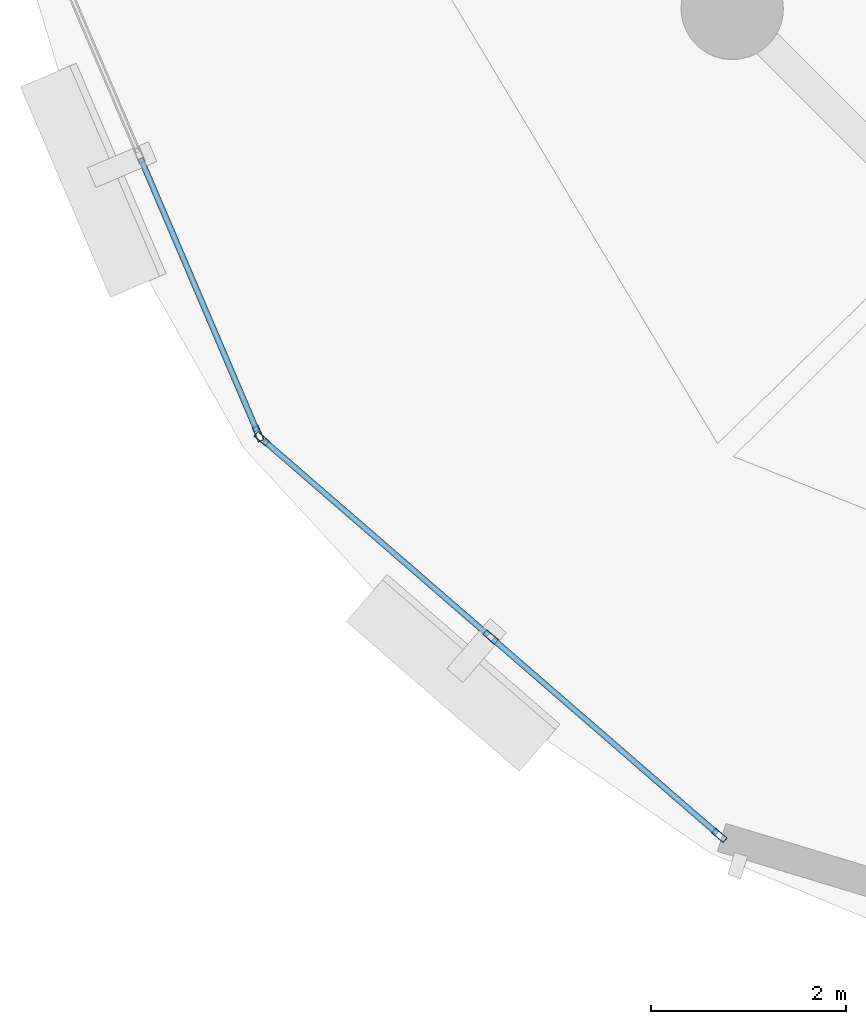
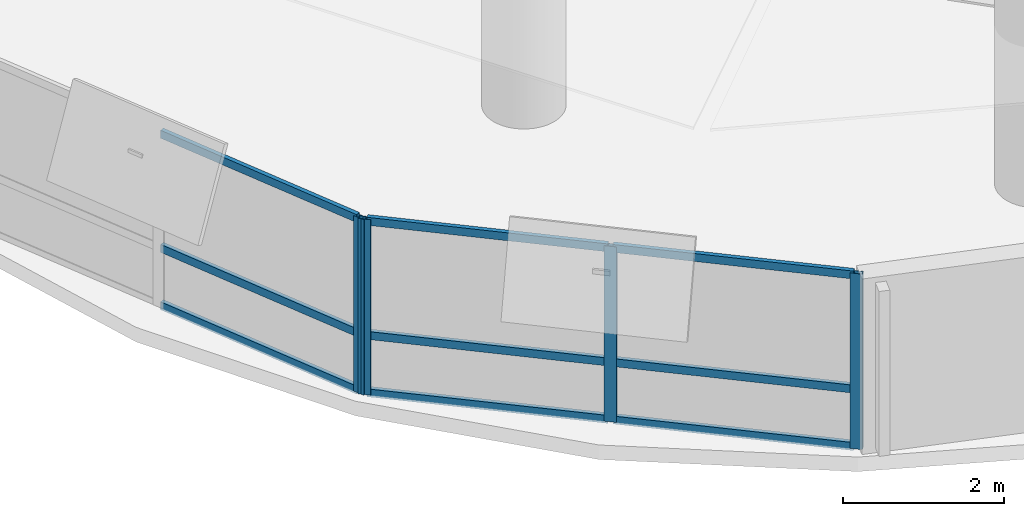
# One storey, part 2 of 12: 13 members, 2 elements without a shape of their own.
"""IFC4 building model written with IfcOpenShell, lengths in metres."""

import ifcopenshell
import ifcopenshell.guid

model = None  # the IFC model being written
_history = None  # IfcOwnerHistory: only IFC2X3 demands one
_inside = {}  # id of a spatial element -> (the spatial element, [elements in it])
_under = {}  # id of a project, library or spatial element -> (it, [spatial elements below it])
_declared = {}  # id of a project -> (the project, [libraries it declares])
_typed = {}  # id of a type object -> (the type object, [elements of that type])
_made_of = {}  # id of a material, layer set ... -> (it, [elements and type objects made of it])


def new_model(schema):
    """Start an empty IFC model of exactly this schema.

    Asked for "IFC4X3", IfcOpenShell would pick the latest addendum, in which some entities
    have other attributes; the version numbers below select the first issue.
    IFC2X3 requires an IfcOwnerHistory on every rooted entity: one is made here for all.
    """
    global model, _history
    if schema == "IFC4X3":
        model = ifcopenshell.file(schema_version=(4, 3, 0, 0))
    else:
        model = ifcopenshell.file(schema=schema)
    _inside.clear()
    _under.clear()
    _declared.clear()
    _typed.clear()
    _made_of.clear()
    _history = None
    if model.schema == "IFC2X3":
        org = make("IfcOrganization", Name="unknown")
        user = make(
            "IfcPersonAndOrganization",
            ThePerson=make("IfcPerson", FamilyName="unknown"),
            TheOrganization=org,
        )
        app = make(
            "IfcApplication",
            ApplicationDeveloper=org,
            Version="unknown",
            ApplicationFullName="unknown",
            ApplicationIdentifier="unknown",
        )
        _history = make(
            "IfcOwnerHistory",
            OwningUser=user,
            OwningApplication=app,
            ChangeAction="ADDED",
            CreationDate=0,
        )
    return model


def make(cls, **values):
    """One entity of the class cls with the attributes given. An attribute that is None is left unset."""
    return model.create_entity(
        cls, **{name: value for name, value in values.items() if value is not None}
    )


def rooted(cls, **values):
    """An entity with a GlobalId (a new one), such as an element, a storey or a relation."""
    return make(cls, GlobalId=ifcopenshell.guid.new(), OwnerHistory=_history, **values)


def si_unit(unit_type, name, prefix=None):
    """IfcSIUnit, for example si_unit("LENGTHUNIT", "METRE", prefix="MILLI")."""
    return make("IfcSIUnit", UnitType=unit_type, Prefix=prefix, Name=name)


def assignment(units):
    """IfcUnitAssignment: the units of a project."""
    return None if units is None else make("IfcUnitAssignment", Units=units)


def point(xyz):
    """IfcCartesianPoint."""
    return None if xyz is None else make("IfcCartesianPoint", Coordinates=xyz)


def direction(xyz):
    """IfcDirection."""
    return None if xyz is None else make("IfcDirection", DirectionRatios=xyz)


def frame(location, z_axis=None, x_axis=None):
    """IfcAxis2Placement3D, a coordinate frame: its origin and axes. An axis left out is left unset."""
    return make(
        "IfcAxis2Placement3D",
        Location=point(location),
        Axis=direction(z_axis),
        RefDirection=direction(x_axis),
    )


def frame_2d(location, x_axis=None):
    """IfcAxis2Placement2D, a coordinate frame in the plane: its origin and x axis."""
    return make(
        "IfcAxis2Placement2D", Location=point(location), RefDirection=direction(x_axis)
    )


def origin():
    """The frame at (0, 0, 0) with its axes left unset."""
    return frame((0.0, 0.0, 0.0))


def origin_2d():
    """The frame at (0, 0) in the plane with its x axis left unset."""
    return frame_2d((0.0, 0.0))


def place(relative_to, where):
    """IfcLocalPlacement: puts the frame where relative to a parent placement (None: the world)."""
    return make(
        "IfcLocalPlacement", PlacementRelTo=relative_to, RelativePlacement=where
    )


def context(
    kind, dimensions, precision=None, world=None, true_north=None, identifier=None
):
    """IfcGeometricRepresentationContext, for example the 3D "Model" context."""
    return make(
        "IfcGeometricRepresentationContext",
        ContextIdentifier=identifier,
        ContextType=kind,
        CoordinateSpaceDimension=dimensions,
        Precision=precision,
        WorldCoordinateSystem=world,
        TrueNorth=true_north,
    )


def subcontext(parent, identifier, kind, view, scale=None):
    """IfcGeometricRepresentationSubContext, for example "Body" below "Model"."""
    return make(
        "IfcGeometricRepresentationSubContext",
        ContextIdentifier=identifier,
        ContextType=kind,
        ParentContext=parent,
        TargetScale=scale,
        TargetView=view,
    )


def project(units=None, contexts=None):
    """IfcProject with its units and contexts."""
    return rooted(
        "IfcProject",
        Name="project",
        RepresentationContexts=contexts,
        UnitsInContext=assignment(units),
    )


def spatial(cls, under=None, at=None, **own):
    """A site, building, storey or space (cls), placed at a placement, below another one or the project."""
    s = rooted(cls, ObjectPlacement=at, **own)
    if under is not None:
        _under.setdefault(under.id(), (under, []))[1].append(s)
    return s


def profile(cls, at=None, kind="AREA", **sizes):
    """A parametric profile (cls). Its sizes go by their IFC names, for example OverallWidth=200.0."""
    return make(cls, ProfileType=kind, Position=at, **sizes)


def hollow_rectangle(**sizes):
    """IfcRectangleHollowProfileDef."""
    return profile("IfcRectangleHollowProfileDef", **sizes)


def extrude(swept, where, along, depth):
    """IfcExtrudedAreaSolid: the profile swept, set in the frame where, extruded along a direction by depth."""
    return make(
        "IfcExtrudedAreaSolid",
        SweptArea=swept,
        Position=where,
        ExtrudedDirection=direction(along),
        Depth=depth,
    )


def shape(context_of_items, identifier, shape_type, items):
    """IfcShapeRepresentation: the items that make up one representation, for example the "Body"."""
    return make(
        "IfcShapeRepresentation",
        ContextOfItems=context_of_items,
        RepresentationIdentifier=identifier,
        RepresentationType=shape_type,
        Items=items,
    )


def material(Name=None, Category=None):
    """IfcMaterial."""
    return make("IfcMaterial", Name=Name, Category=Category)


def layer(
    of_material, thickness, ventilated=None, Name=None, Category=None, Priority=None
):
    """IfcMaterialLayer: one layer of a wall or slab, of a material (None: an air gap)."""
    return make(
        "IfcMaterialLayer",
        Material=of_material,
        LayerThickness=thickness,
        IsVentilated=ventilated,
        Name=Name,
        Category=Category,
        Priority=Priority,
    )


def layer_set(layers, Name=None):
    """IfcMaterialLayerSet."""
    return make("IfcMaterialLayerSet", MaterialLayers=layers, LayerSetName=Name)


def material_profile(
    of_material, cross_section, Name=None, Category=None, Priority=None
):
    """IfcMaterialProfile: a cross section and its material."""
    return make(
        "IfcMaterialProfile",
        Name=Name,
        Material=of_material,
        Profile=cross_section,
        Priority=Priority,
        Category=Category,
    )


def profile_set(profiles, Name=None, composite=None):
    """IfcMaterialProfileSet."""
    return make(
        "IfcMaterialProfileSet",
        Name=Name,
        MaterialProfiles=profiles,
        CompositeProfile=composite,
    )


def made_of(thing, what):
    """Note that an element or type object is made of a material, layer set ...; save() writes the relation."""
    if what is not None:
        _made_of.setdefault(what.id(), (what, []))[1].append(thing)
    return thing


def type_object(cls, material=None, **own):
    """A type object (cls), such as IfcWallType, which elements share."""
    return made_of(rooted(cls, **own), material)


def element(
    cls,
    number,
    at=None,
    inside=None,
    cuts=None,
    type_object=None,
    material=None,
    context=None,
    identifier="Body",
    shape_type=None,
    held_by="IfcProductDefinitionShape",
    body=None,
    shapes=None,
    **own,
):
    """One element of the class cls, such as IfcWall. Its Tag is "e" and its number.

    at: its placement. inside: the storey or other place that contains it. cuts: it is an
    opening in that element (IfcRelVoidsElement). A single representation is given by context,
    identifier, shape_type and body (its items); several are given by shapes. held_by: the class
    of the entity that holds the representations. save() writes the other relations.
    """
    e = rooted(cls, Tag="e%d" % number, ObjectPlacement=at, **own)
    if body is not None:
        shapes = [shape(context, identifier, shape_type, body)]
    if shapes is not None:
        e.Representation = make(held_by, Representations=shapes)
    if inside is not None:
        _inside.setdefault(inside.id(), (inside, []))[1].append(e)
    if cuts is not None:
        rooted(
            "IfcRelVoidsElement", RelatingBuildingElement=cuts, RelatedOpeningElement=e
        )
    if type_object is not None:
        _typed.setdefault(type_object.id(), (type_object, []))[1].append(e)
    return made_of(e, material)


def aggregate(whole, parts):
    """IfcRelAggregates: a whole, such as a stair, and the parts it consists of."""
    return rooted("IfcRelAggregates", RelatingObject=whole, RelatedObjects=parts)


def save(model, path):
    """Write the relations noted so far, then the file.

    IfcRelAggregates (storeys below a building ...), IfcRelContainedInSpatialStructure (elements
    in a storey), IfcRelDefinesByType, IfcRelAssociatesMaterial and IfcRelDeclares: one each for
    every whole, place, type object, material and project.
    """
    for whole, parts in _under.values():
        aggregate(whole, parts)
    for where, things in _inside.values():
        rooted(
            "IfcRelContainedInSpatialStructure",
            RelatedElements=things,
            RelatingStructure=where,
        )
    for kind, things in _typed.values():
        rooted("IfcRelDefinesByType", RelatedObjects=things, RelatingType=kind)
    for what, things in _made_of.values():
        rooted("IfcRelAssociatesMaterial", RelatedObjects=things, RelatingMaterial=what)
    for by, libraries in _declared.values():
        rooted("IfcRelDeclares", RelatingContext=by, RelatedDefinitions=libraries)
    model.write(path)


model = new_model("IFC4")

# Units and contexts
model_context = context("Model", 3, precision=1e-05, world=origin(), true_north=direction((0.0, 1.0)))
body_context = subcontext(model_context, "Body", "Model", "MODEL_VIEW")
ifc_project = project(units=[si_unit("LENGTHUNIT", "METRE"), si_unit("AREAUNIT", "SQUARE_METRE"), si_unit("VOLUMEUNIT", "CUBIC_METRE"), si_unit("PLANEANGLEUNIT", "RADIAN"), si_unit("MASSUNIT", "GRAM", prefix="KILO"), si_unit("THERMODYNAMICTEMPERATUREUNIT", "KELVIN"), si_unit("POWERUNIT", "WATT")], contexts=[model_context])

# Site, building, storey
site_placement = place(None, origin())
site = spatial("IfcSite", under=ifc_project, at=site_placement, CompositionType="ELEMENT")
building_placement = place(site_placement, origin())
building = spatial("IfcBuilding", under=site, at=building_placement, Name="Ocrelia Relay Tower", CompositionType="ELEMENT")
storey_placement = place(building_placement, frame((0.0, 0.0, 184.39990234375)))
storey = spatial("IfcBuildingStorey", under=building, at=storey_placement, Name="L44", CompositionType="ELEMENT", Elevation=184.39990234375)

# Curtain wall, member
ifc_material_1 = material(Name="Aluminium and solar-control low-E glass", Category="aluminium")
ifc_layer = layer(ifc_material_1, 0.179931640625, Name="Aluminium and solar-control low-E glass")
ifc_layer_set = layer_set([ifc_layer], Name="Aluminium and solar-control low-E glass")
curtain_wall_type = type_object("IfcCurtainWallType", Name="CW-SYS-Z3-CLOU", PredefinedType="NOTDEFINED", material=ifc_layer_set)
curtain_wall_1_placement = place(storey_placement, origin())
curtain_wall_1 = element("IfcCurtainWall", 1, at=curtain_wall_1_placement, inside=storey, type_object=curtain_wall_type, Name="L44 Elliptical Tower Curtain Wall Bay 09", PredefinedType="NOTDEFINED")
ifc_material_2 = material(Name="Anodised bronze aluminium", Category="aluminium")
ifc_material_profile_1 = material_profile(ifc_material_2, hollow_rectangle(XDim=0.06494140625, YDim=0.159912109375, WallThickness=0.0048828125, at=origin_2d()), Name="CW-MUL-160x65")
ifc_profile_set_1 = profile_set([ifc_material_profile_1], Name="Anodised bronze aluminium")
member_type_1 = type_object("IfcMemberType", Name="CW-SYS-Z3-CLOU-MUL", PredefinedType="MULLION", material=ifc_profile_set_1)
member_1_placement = place(storey_placement, frame((15.080322265625, 12.24267578125, 0.0), z_axis=(0.0, 0.0, 1.0), x_axis=(0.91968752156, 0.392651069891, 0.0)))
member_1 = element("IfcMember", 2, at=member_1_placement, type_object=member_type_1, Name="CW-Z3 mullion 3", PredefinedType="MULLION", context=body_context, shape_type="SweptSolid", body=[
    extrude(hollow_rectangle(XDim=0.06494140625, YDim=0.159912109375, WallThickness=0.0048828125, at=origin_2d()), origin(), (0.0, 0.0, 1.0), 2.66015625),
])

# Curtain wall, members
curtain_wall_2_placement = place(storey_placement, origin())
curtain_wall_2 = element("IfcCurtainWall", 3, at=curtain_wall_2_placement, inside=storey, type_object=curtain_wall_type, Name="L44 Elliptical Tower Curtain Wall Bay 10", PredefinedType="NOTDEFINED")
member_2_placement = place(storey_placement, frame((15.11767578125, 12.19140625, 0.0), z_axis=(0.0, 0.0, 1.0), x_axis=(0.655002039226, 0.755627109499, 0.0)))
member_2 = element("IfcMember", 4, at=member_2_placement, type_object=member_type_1, Name="CW-Z3 mullion 1", PredefinedType="MULLION", context=body_context, shape_type="SweptSolid", body=[
    extrude(hollow_rectangle(XDim=0.06494140625, YDim=0.159912109375, WallThickness=0.0048828125, at=origin_2d()), origin(), (0.0, 0.0, 1.0), 2.66015625),
])
member_3_placement = place(storey_placement, frame((17.466796875, 10.1552734375, 0.0), z_axis=(0.0, 0.0, 1.0), x_axis=(0.655002039226, 0.755627109499, 0.0)))
member_3 = element("IfcMember", 5, at=member_3_placement, type_object=member_type_1, Name="CW-Z3 mullion 2", PredefinedType="MULLION", context=body_context, shape_type="SweptSolid", body=[
    extrude(hollow_rectangle(XDim=0.06494140625, YDim=0.159912109375, WallThickness=0.0048828125, at=origin_2d()), origin(), (0.0, 0.0, 1.0), 2.66015625),
])
member_4_placement = place(storey_placement, frame((19.81591796875, 8.118896484375, 0.0), z_axis=(0.0, 0.0, 1.0), x_axis=(0.655002039226, 0.755627109499, 0.0)))
member_4 = element("IfcMember", 6, at=member_4_placement, type_object=member_type_1, Name="CW-Z3 mullion 3", PredefinedType="MULLION", context=body_context, shape_type="SweptSolid", body=[
    extrude(hollow_rectangle(XDim=0.06494140625, YDim=0.159912109375, WallThickness=0.0048828125, at=origin_2d()), origin(), (0.0, 0.0, 1.0), 2.66015625),
])

# Member
ifc_material_profile_2 = material_profile(ifc_material_2, hollow_rectangle(XDim=0.06005859375, YDim=0.1201171875, WallThickness=0.0048828125, at=origin_2d()), Name="CW-TRN-120x60")
ifc_profile_set_2 = profile_set([ifc_material_profile_2], Name="Anodised bronze aluminium")
member_type_2 = type_object("IfcMemberType", Name="CW-SYS-Z3-CLOU-TRN", PredefinedType="USERDEFINED", material=ifc_profile_set_2)
member_5_placement = place(storey_placement, frame((13.872314453125, 15.072021484375, 0.030029296875), z_axis=(0.392602429765, -0.919708286438, 0.0), x_axis=(0.919708286438, 0.392602429765, 0.0)))
member_5 = element("IfcMember", 7, at=member_5_placement, type_object=member_type_2, Name="CW-Z3 transom 2.1", ObjectType="TRANSOM", PredefinedType="USERDEFINED", context=body_context, shape_type="SweptSolid", body=[
    extrude(hollow_rectangle(XDim=0.06005859375, YDim=0.1201171875, WallThickness=0.0048828125, at=origin_2d()), origin(), (0.0, 0.0, 1.0), 3.0439453125),
])

member_6_placement = place(storey_placement, frame((13.872314453125, 15.072021484375, 0.900146484375), z_axis=(0.392602429765, -0.919708286438, 0.0), x_axis=(0.919708286438, 0.392602429765, 0.0)))
member_6 = element("IfcMember", 8, at=member_6_placement, type_object=member_type_2, Name="CW-Z3 transom 2.2", ObjectType="TRANSOM", PredefinedType="USERDEFINED", context=body_context, shape_type="SweptSolid", body=[
    extrude(hollow_rectangle(XDim=0.06005859375, YDim=0.1201171875, WallThickness=0.0048828125, at=origin_2d()), origin(), (0.0, 0.0, 1.0), 3.0439453125),
])

member_7_placement = place(storey_placement, frame((13.872314453125, 15.072021484375, 2.630126953125), z_axis=(0.392602429765, -0.919708286438, 0.0), x_axis=(0.919708286438, 0.392602429765, 0.0)))
member_7 = element("IfcMember", 9, at=member_7_placement, type_object=member_type_2, Name="CW-Z3 transom 2.3", ObjectType="TRANSOM", PredefinedType="USERDEFINED", context=body_context, shape_type="SweptSolid", body=[
    extrude(hollow_rectangle(XDim=0.06005859375, YDim=0.1201171875, WallThickness=0.0048828125, at=origin_2d()), origin(), (0.0, 0.0, 1.0), 3.0439453125),
])

aggregate(curtain_wall_1, [member_1, member_5, member_6, member_7])

member_8_placement = place(storey_placement, frame((15.14208984375, 12.170166015625, 0.030029296875), z_axis=(0.755644090971, -0.654982448452, 0.0), x_axis=(0.654982448452, 0.755644090971, 0.0)))
member_8 = element("IfcMember", 10, at=member_8_placement, type_object=member_type_2, Name="CW-Z3 transom 1.1", ObjectType="TRANSOM", PredefinedType="USERDEFINED", context=body_context, shape_type="SweptSolid", body=[
    extrude(hollow_rectangle(XDim=0.06005859375, YDim=0.1201171875, WallThickness=0.0048828125, at=origin_2d()), origin(), (0.0, 0.0, 1.0), 3.0439453125),
])

member_9_placement = place(storey_placement, frame((15.14208984375, 12.170166015625, 0.900146484375), z_axis=(0.755644090971, -0.654982448452, 0.0), x_axis=(0.654982448452, 0.755644090971, 0.0)))
member_9 = element("IfcMember", 11, at=member_9_placement, type_object=member_type_2, Name="CW-Z3 transom 1.2", ObjectType="TRANSOM", PredefinedType="USERDEFINED", context=body_context, shape_type="SweptSolid", body=[
    extrude(hollow_rectangle(XDim=0.06005859375, YDim=0.1201171875, WallThickness=0.0048828125, at=origin_2d()), origin(), (0.0, 0.0, 1.0), 3.0439453125),
])

member_10_placement = place(storey_placement, frame((15.14208984375, 12.170166015625, 2.630126953125), z_axis=(0.755644090971, -0.654982448452, 0.0), x_axis=(0.654982448452, 0.755644090971, 0.0)))
member_10 = element("IfcMember", 12, at=member_10_placement, type_object=member_type_2, Name="CW-Z3 transom 1.3", ObjectType="TRANSOM", PredefinedType="USERDEFINED", context=body_context, shape_type="SweptSolid", body=[
    extrude(hollow_rectangle(XDim=0.06005859375, YDim=0.1201171875, WallThickness=0.0048828125, at=origin_2d()), origin(), (0.0, 0.0, 1.0), 3.0439453125),
])

member_11_placement = place(storey_placement, frame((17.4912109375, 10.134033203125, 0.030029296875), z_axis=(0.755604393796, -0.655028243725, 0.0), x_axis=(0.655028243725, 0.755604393796, 0.0)))
member_11 = element("IfcMember", 13, at=member_11_placement, type_object=member_type_2, Name="CW-Z3 transom 2.1", ObjectType="TRANSOM", PredefinedType="USERDEFINED", context=body_context, shape_type="SweptSolid", body=[
    extrude(hollow_rectangle(XDim=0.06005859375, YDim=0.1201171875, WallThickness=0.0048828125, at=origin_2d()), origin(), (0.0, 0.0, 1.0), 3.0439453125),
])

member_12_placement = place(storey_placement, frame((17.4912109375, 10.134033203125, 0.900146484375), z_axis=(0.755604393796, -0.655028243725, 0.0), x_axis=(0.655028243725, 0.755604393796, 0.0)))
member_12 = element("IfcMember", 14, at=member_12_placement, type_object=member_type_2, Name="CW-Z3 transom 2.2", ObjectType="TRANSOM", PredefinedType="USERDEFINED", context=body_context, shape_type="SweptSolid", body=[
    extrude(hollow_rectangle(XDim=0.06005859375, YDim=0.1201171875, WallThickness=0.0048828125, at=origin_2d()), origin(), (0.0, 0.0, 1.0), 3.0439453125),
])

member_13_placement = place(storey_placement, frame((17.4912109375, 10.134033203125, 2.630126953125), z_axis=(0.755604393796, -0.655028243725, 0.0), x_axis=(0.655028243725, 0.755604393796, 0.0)))
member_13 = element("IfcMember", 15, at=member_13_placement, type_object=member_type_2, Name="CW-Z3 transom 2.3", ObjectType="TRANSOM", PredefinedType="USERDEFINED", context=body_context, shape_type="SweptSolid", body=[
    extrude(hollow_rectangle(XDim=0.06005859375, YDim=0.1201171875, WallThickness=0.0048828125, at=origin_2d()), origin(), (0.0, 0.0, 1.0), 3.0439453125),
])

aggregate(curtain_wall_2, [member_2, member_3, member_4, member_8, member_9, member_10, member_11, member_12, member_13])

save(model, "model.ifc")
